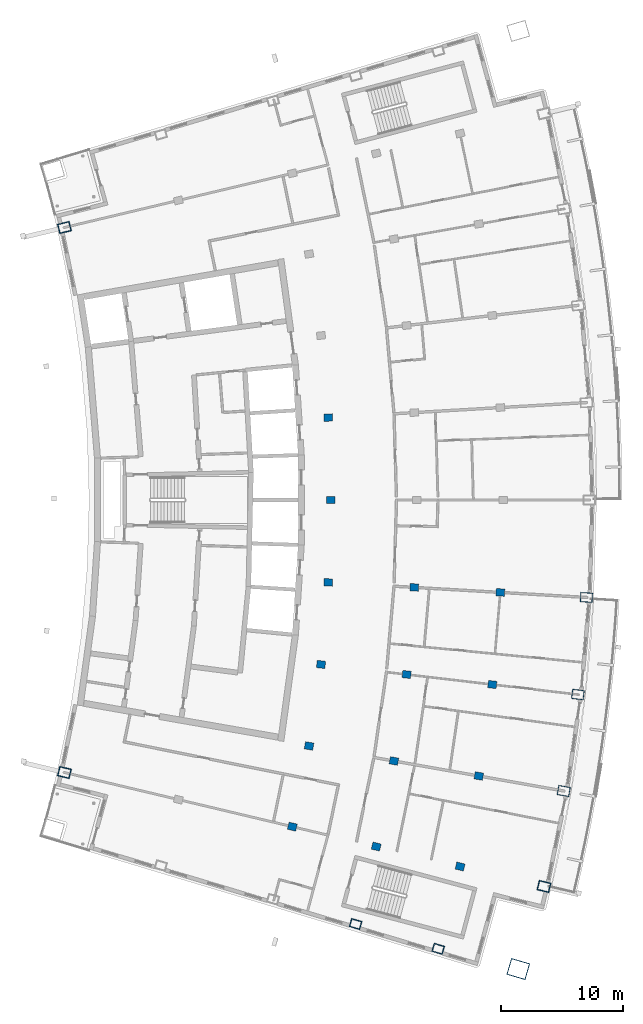
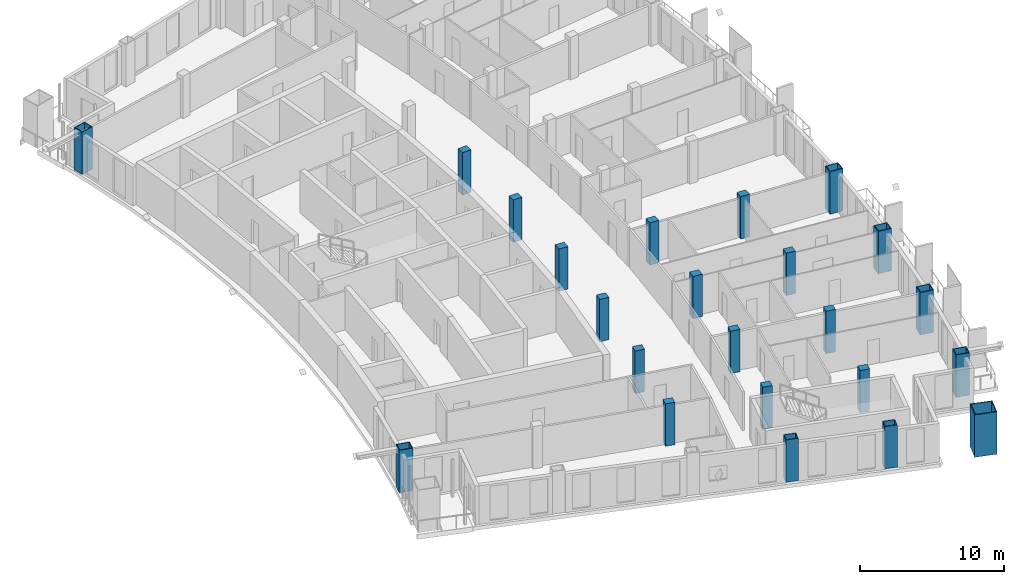
# One storey, part 2 of 15: 23 columns.
"""IFC4 building model written with IfcOpenShell, lengths in metres."""

from ifc_helpers import new_model, si_unit, direction, frame, origin, origin_2d, place, context, subcontext, project, spatial, rectangle, hollow_rectangle, extrude, material, material_profile, profile_set, type_object, element, save


model = new_model("IFC4")

# Units and contexts
model_context = context("Model", 3, precision=1e-05, world=origin(), true_north=direction((0.0, 1.0)))
body_context = subcontext(model_context, "Body", "Model", "MODEL_VIEW")
ifc_project = project(units=[si_unit("LENGTHUNIT", "METRE"), si_unit("AREAUNIT", "SQUARE_METRE"), si_unit("VOLUMEUNIT", "CUBIC_METRE"), si_unit("PLANEANGLEUNIT", "RADIAN"), si_unit("MASSUNIT", "GRAM", prefix="KILO")], contexts=[model_context])

# Site, building, storey
site_placement = place(None, origin())
site = spatial("IfcSite", under=ifc_project, at=site_placement, CompositionType="ELEMENT")
building_placement = place(site_placement, origin())
building = spatial("IfcBuilding", under=site, at=building_placement, Name="Alderwake Tower", CompositionType="ELEMENT")
storey_placement = place(building_placement, frame((0.0, 0.0, 252.800048828125)))
storey = spatial("IfcBuildingStorey", under=building, at=storey_placement, Name="L62", CompositionType="ELEMENT", Elevation=252.800048828125)

# Columns
ifc_material_1 = material(Name="Steel ASTM A572 Grade 50 concrete filled C70/85", Category="concrete")
ifc_material_profile_1 = material_profile(ifc_material_1, hollow_rectangle(XDim=0.699951171875, YDim=0.89990234375, WallThickness=0.050048828125, at=origin_2d()), Name="BOX 900X700X50")
ifc_profile_set_1 = profile_set([ifc_material_profile_1], Name="Steel ASTM A572 Grade 50 concrete filled C70/85")
column_type_1 = type_object("IfcColumnType", Name="End column Z5", PredefinedType="COLUMN", material=ifc_profile_set_1)
for number, where, z_axis, x_axis, name in (
    (1, (37.8486328125, 26.244873046875, 0.0), (0.0, 0.0, 1.0), (0.28286882455, 0.959158604245, 0.0), "Column R02-C3"),
    (2, (44.616943359375, 24.212890625, 0.0), (0.0, 0.0, 1.0), (0.283123269824, 0.95908352821, 0.0), "Column R02-C4"),
):
    element("IfcColumn", number, at=place(storey_placement, frame(where, z_axis=z_axis, x_axis=x_axis)), inside=storey, type_object=column_type_1, Name=name, PredefinedType="COLUMN", context=body_context, shape_type="SweptSolid", body=[
        extrude(hollow_rectangle(XDim=0.699951171875, YDim=0.89990234375, WallThickness=0.050048828125, at=origin_2d()), origin(), (0.0, 0.0, 1.0), 3.599853515625),
    ])
ifc_material_2 = material(Name="Concrete C70/85", Category="concrete")
ifc_material_profile_2 = material_profile(ifc_material_2, rectangle(XDim=0.60009765625, YDim=0.699951171875, at=origin_2d()), Name="RC 700X600")
ifc_profile_set_2 = profile_set([ifc_material_profile_2], Name="Concrete C70/85")
column_type_2 = type_object("IfcColumnType", Name="Interior column Z5", PredefinedType="COLUMN", material=ifc_profile_set_2)
for number, where, z_axis, x_axis, name in (
    (3, (32.661865234375, 34.224609375, 0.0), (0.0, 0.0, 1.0), (0.231221547198, 0.972901123502, 0.0), "Column R03-C2"),
    (4, (39.537109375, 32.590576171875, 0.0), (0.0, 0.0, 1.0), (0.231221547198, 0.972901123502, 0.0), "Column R03-C3"),
    (5, (46.412109375, 30.95654296875, 0.0), (0.0, 0.0, 1.0), (0.231221547198, 0.972901123502, 0.0), "Column R03-C4"),
    (6, (34.03125, 40.83837890625, 0.0), (0.0, 0.0, 1.0), (0.174108800747, 0.984726421654, 0.0), "Column R04-C2"),
    (7, (40.989990234375, 39.60791015625, 0.0), (0.0, 0.0, 1.0), (0.174108800747, 0.984726421654, 0.0), "Column R04-C3"),
    (8, (47.94873046875, 38.377685546875, 0.0), (0.0, 0.0, 1.0), (0.174107082075, 0.984726725529, 0.0), "Column R04-C4"),
    (9, (35.0126953125, 47.5205078125, 0.0), (0.0, 0.0, 1.0), (0.116402054316, 0.993202175668, 0.0), "Column R05-C2"),
    (10, (42.031494140625, 46.697998046875, 0.0), (0.0, 0.0, 1.0), (0.116402054316, 0.993202175668, 0.0), "Column R05-C3"),
    (11, (49.050048828125, 45.87548828125, 0.0), (0.0, 0.0, 1.0), (0.116402054316, 0.993202175668, 0.0), "Column R05-C4"),
    (12, (35.60302734375, 54.248779296875, 0.0), (0.0, 0.0, 1.0), (0.058301061284, 0.998299046505, 0.0), "Column R06-C2"),
    (13, (42.65771484375, 53.8369140625, 0.0), (0.0, 0.0, 1.0), (0.058301061284, 0.998299046505, 0.0), "Column R06-C3"),
    (14, (49.71240234375, 53.4248046875, 0.0), (0.0, 0.0, 1.0), (0.058299318924, 0.998299148258, 0.0), "Column R06-C4"),
    (15, (35.800048828125, 61.0, 0.0), (0.0, 0.0, 1.0), (0.0, 1.0, 0.0), "Column R07-C2"),
    (16, (35.60302734375, 67.751220703125, 0.0), (0.0, 0.0, 1.0), (-0.058301061284, 0.998299046505, 0.0), "Column R08-C2"),
):
    element("IfcColumn", number, at=place(storey_placement, frame(where, z_axis=z_axis, x_axis=x_axis)), inside=storey, type_object=column_type_2, Name=name, PredefinedType="COLUMN", context=body_context, shape_type="SweptSolid", body=[
        extrude(rectangle(XDim=0.60009765625, YDim=0.699951171875, at=origin_2d()), origin(), (0.0, 0.0, 1.0), 3.599853515625),
    ])
ifc_material_3 = material(Name="Steel ASTM A572 Grade 50 concrete filled C70/85", Category="concrete")
ifc_material_profile_3 = material_profile(ifc_material_3, hollow_rectangle(XDim=1.39990234375, YDim=1.60009765625, WallThickness=0.070068359375, at=origin_2d()), Name="BOX 1600X1400X70")
ifc_profile_set_3 = profile_set([ifc_material_profile_3], Name="Steel ASTM A572 Grade 50 concrete filled C70/85")
column_type_3 = type_object("IfcColumnType", Name="Mega column Z5", PredefinedType="COLUMN", material=ifc_profile_set_3)
column_placement = place(storey_placement, frame((51.181884765625, 22.552978515625, 0.0), z_axis=(0.0, 0.0, 1.0), x_axis=(0.281251293329, 0.959634154249, 0.0)))
element("IfcColumn", 17, at=column_placement, inside=storey, type_object=column_type_3, Name="Column R02-C5", PredefinedType="COLUMN", context=body_context, shape_type="SweptSolid", body=[
    extrude(hollow_rectangle(XDim=1.39990234375, YDim=1.60009765625, WallThickness=0.070068359375, at=origin_2d()), origin(), (0.0, 0.0, 1.0), 3.599853515625),
])
ifc_material_4 = material(Name="Steel ASTM A572 Grade 50 concrete filled C70/85", Category="concrete")
ifc_material_profile_4 = material_profile(ifc_material_4, hollow_rectangle(XDim=0.800048828125, YDim=1.0, WallThickness=0.054931640625, at=origin_2d()), Name="BOX 1000X800X55")
ifc_profile_set_4 = profile_set([ifc_material_profile_4], Name="Steel ASTM A572 Grade 50 concrete filled C70/85")
column_type_4 = type_object("IfcColumnType", Name="Perimeter column Z5", PredefinedType="COLUMN", material=ifc_profile_set_4)
for number, where, z_axis, x_axis, name in (
    (18, (13.982177734375, 38.6640625, 0.0), (0.0, 0.0, 1.0), (0.231221547198, 0.972901123502, 0.0), "Column R03-C0"),
    (19, (53.287353515625, 29.322509765625, 0.0), (0.0, 0.0, 1.0), (0.231221547198, 0.972901123502, 0.0), "Column R03-C5"),
    (20, (54.907470703125, 37.147216796875, 0.0), (0.0, 0.0, 1.0), (0.174108800747, 0.984726421654, 0.0), "Column R04-C5"),
    (21, (56.068603515625, 45.052978515625, 0.0), (0.0, 0.0, 1.0), (0.116402054316, 0.993202175668, 0.0), "Column R05-C5"),
    (22, (56.76708984375, 53.012939453125, 0.0), (0.0, 0.0, 1.0), (0.058299318924, 0.998299148258, 0.0), "Column R06-C5"),
    (23, (13.982177734375, 83.3359375, 0.0), (0.0, 0.0, 1.0), (-0.231221547198, 0.972901123502, 0.0), "Column R11-C0"),
):
    element("IfcColumn", number, at=place(storey_placement, frame(where, z_axis=z_axis, x_axis=x_axis)), inside=storey, type_object=column_type_4, Name=name, PredefinedType="COLUMN", context=body_context, shape_type="SweptSolid", body=[
        extrude(hollow_rectangle(XDim=0.800048828125, YDim=1.0, WallThickness=0.054931640625, at=origin_2d()), origin(), (0.0, 0.0, 1.0), 3.599853515625),
    ])

save(model, "model.ifc")
